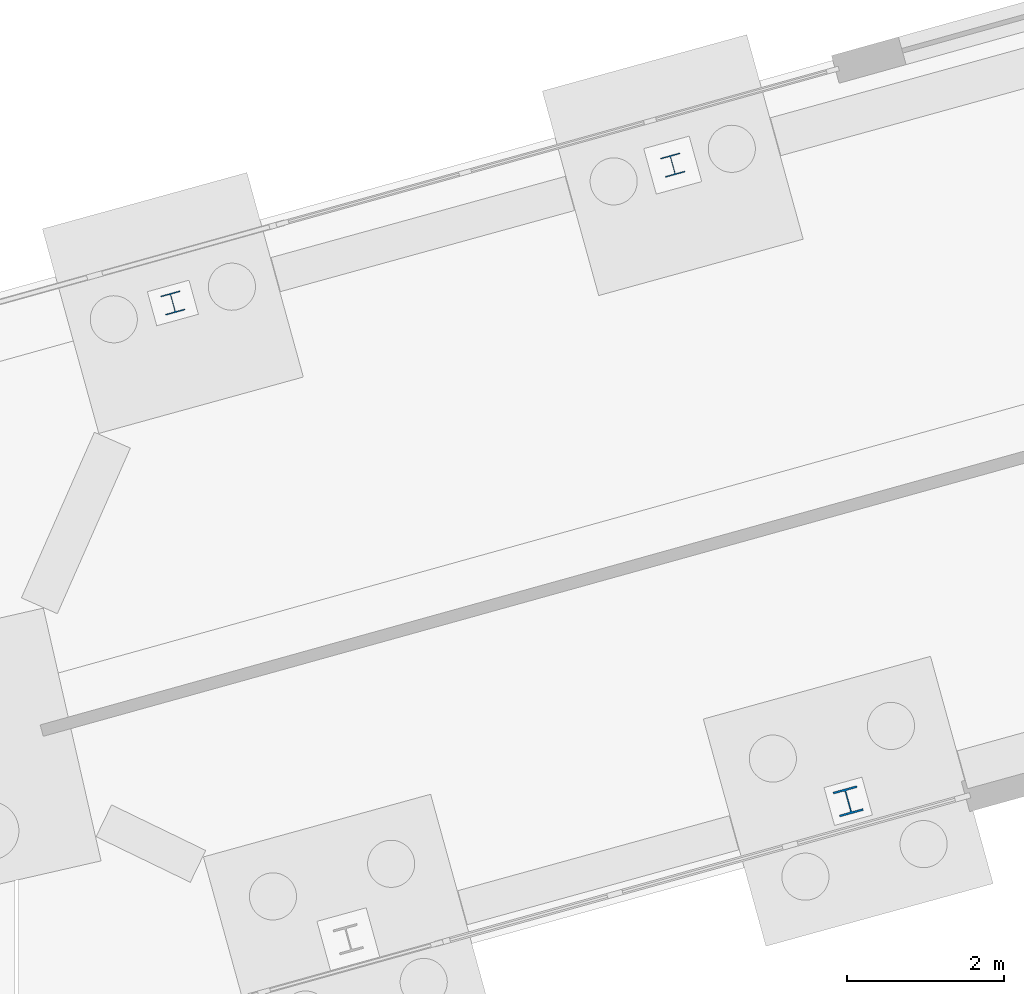
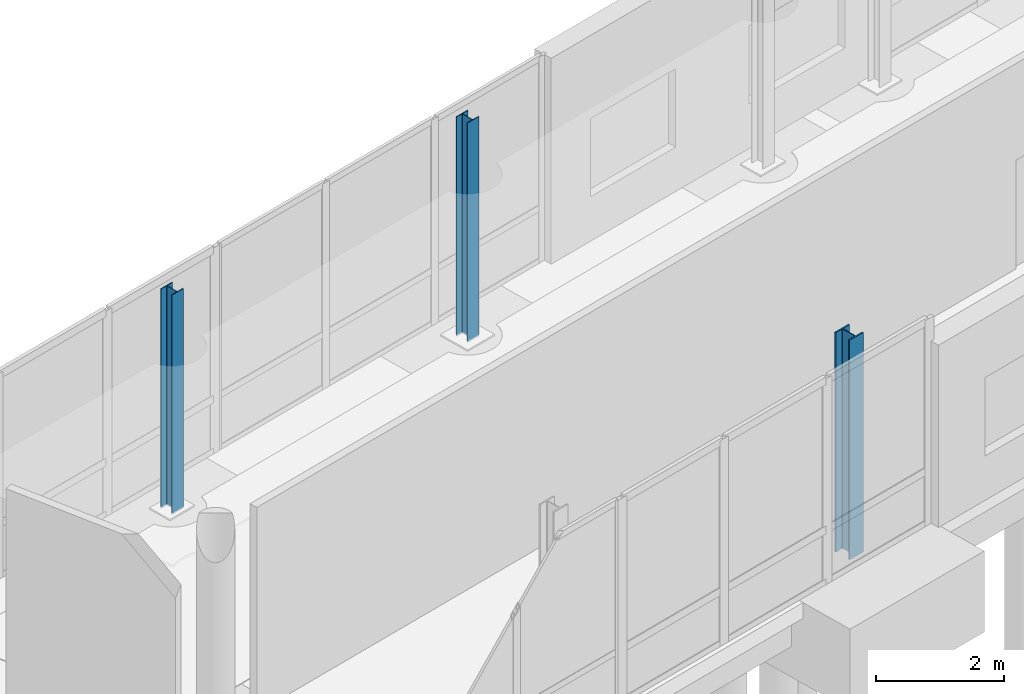
# One storey, part 6 of 113: 3 columns.
"""IFC4 building model written with IfcOpenShell, lengths in metres."""

from ifc_helpers import new_model, si_unit, direction, frame, origin, origin_2d, place, context, subcontext, project, spatial, i_section, extrude, material, material_profile, profile_set, type_object, element, save


model = new_model("IFC4")

# Units and contexts
model_context = context("Model", 3, precision=1e-05, world=origin(), true_north=direction((0.0, 1.0)))
body_context = subcontext(model_context, "Body", "Model", "MODEL_VIEW")
ifc_project = project(units=[si_unit("LENGTHUNIT", "METRE"), si_unit("AREAUNIT", "SQUARE_METRE"), si_unit("VOLUMEUNIT", "CUBIC_METRE"), si_unit("PLANEANGLEUNIT", "RADIAN"), si_unit("MASSUNIT", "GRAM", prefix="KILO")], contexts=[model_context])

# Site, building, storey
site_placement = place(None, origin())
site = spatial("IfcSite", under=ifc_project, at=site_placement, CompositionType="ELEMENT")
building_placement = place(site_placement, origin())
building = spatial("IfcBuilding", under=site, at=building_placement, Name="Wrenclough Park School", CompositionType="ELEMENT")
storey_placement = place(building_placement, origin())
storey = spatial("IfcBuildingStorey", under=building, at=storey_placement, Name="L00", CompositionType="ELEMENT", Elevation=0.0)

# Columns
ifc_material = material(Name="Structural steel S355", Category="steel")
ifc_material_profile_1 = material_profile(ifc_material, i_section(OverallWidth=0.254638671875, OverallDepth=0.254150390625, WebThickness=0.008544921875, FlangeThickness=0.01416015625, FilletRadius=0.0126953125, at=origin_2d()), Name="UKC 254x254x73")
ifc_profile_set_1 = profile_set([ifc_material_profile_1], Name="Structural steel S355")
column_type_1 = type_object("IfcColumnType", Name="STR-COL-UKC254A", PredefinedType="COLUMN", material=ifc_profile_set_1)
for number, where, z_axis, x_axis, name in (
    (1, (55.8662109375, 33.1201171875, 0.0), (0.0, 0.0, 1.0), (0.964002648928, 0.265892634084, 0.0), "W12 L00 column EAVE-ENTRANCE-B1"),
    (2, (62.228515625, 34.875, 0.0), (0.0, 0.0, 1.0), (0.964002648928, 0.265892634084, 0.0), "W12 L00 column EAVE-ENTRANCE-B2"),
):
    element("IfcColumn", number, at=place(storey_placement, frame(where, z_axis=z_axis, x_axis=x_axis)), inside=storey, type_object=column_type_1, Name=name, PredefinedType="COLUMN", context=body_context, shape_type="SweptSolid", body=[
        extrude(i_section(OverallWidth=0.254638671875, OverallDepth=0.254150390625, WebThickness=0.008544921875, FlangeThickness=0.01416015625, FilletRadius=0.0126953125, at=origin_2d()), origin(), (0.0, 0.0, 1.0), 4.199951171875),
    ])
ifc_material_profile_2 = material_profile(ifc_material, i_section(OverallWidth=0.311279296875, OverallDepth=0.3271484375, WebThickness=0.015869140625, FlangeThickness=0.02490234375, FilletRadius=0.01513671875, at=origin_2d()), Name="UKC 305x305x158")
ifc_profile_set_2 = profile_set([ifc_material_profile_2], Name="Structural steel S355")
column_type_2 = type_object("IfcColumnType", Name="STR-COL-UKC305B", PredefinedType="COLUMN", material=ifc_profile_set_2)
column_placement = place(storey_placement, frame((64.462158203125, 26.77734375, 0.0), z_axis=(0.0, 0.0, 1.0), x_axis=(0.964002648928, 0.265892634084, 0.0)))
element("IfcColumn", 3, at=column_placement, inside=storey, type_object=column_type_2, Name="W12 L00 column EAVE-ENTRANCE-F2", PredefinedType="COLUMN", context=body_context, shape_type="SweptSolid", body=[
    extrude(i_section(OverallWidth=0.311279296875, OverallDepth=0.3271484375, WebThickness=0.015869140625, FlangeThickness=0.02490234375, FilletRadius=0.01513671875, at=origin_2d()), origin(), (0.0, 0.0, 1.0), 4.199951171875),
])

save(model, "model.ifc")
